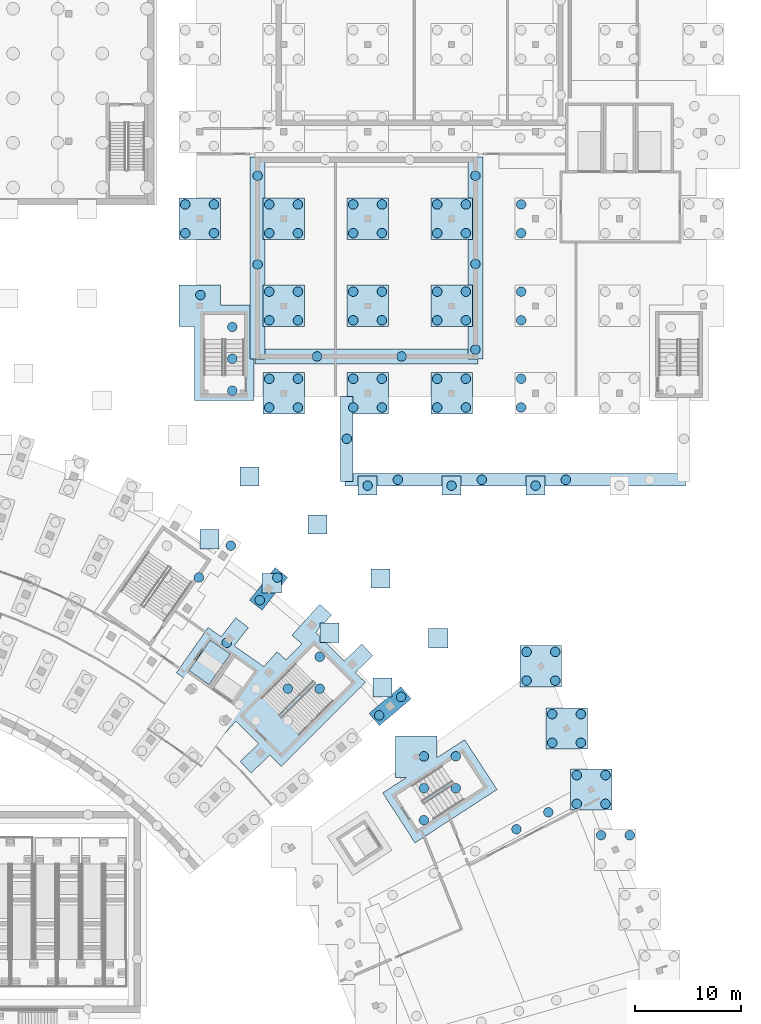
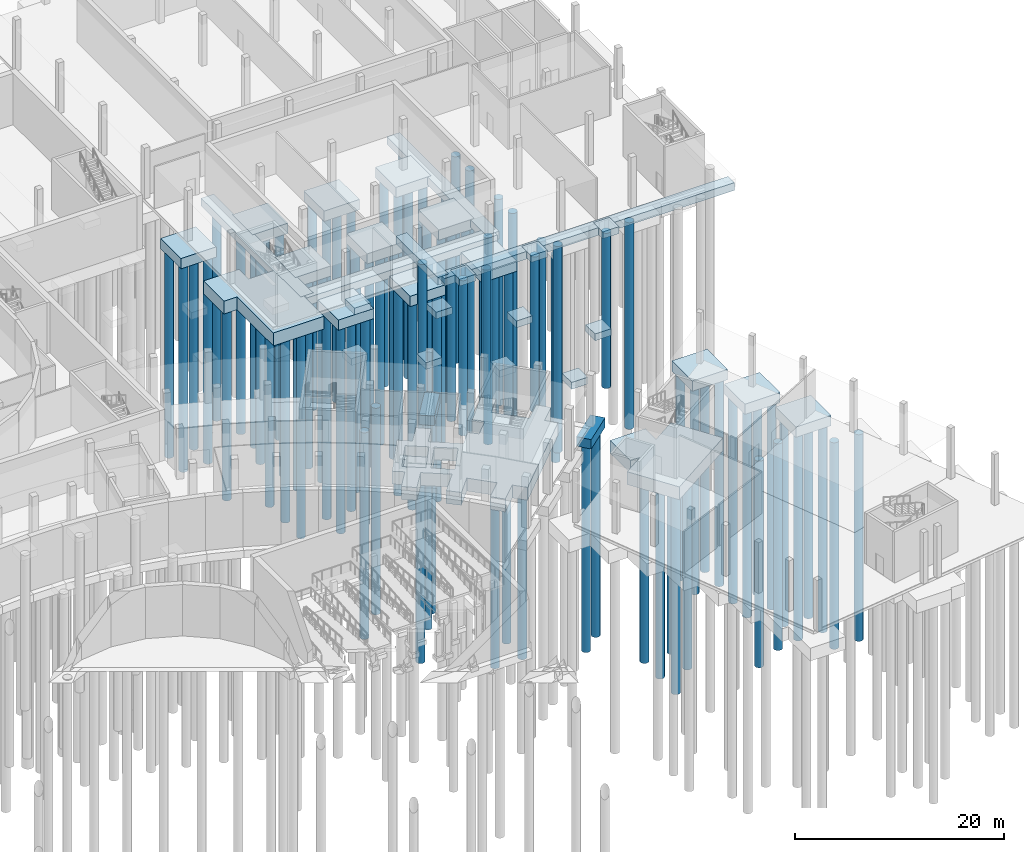
# One storey, part 8 of 66: 95 piles, 35 footings.
"""IFC4 building model written with IfcOpenShell, lengths in metres."""

from ifc_helpers import new_model, si_unit, direction, frame, origin, origin_2d, place, context, subcontext, project, spatial, polyline, circle, outline, extrude, material, material_profile, profile_set, type_object, element, save


model = new_model("IFC4")

# Units and contexts
model_context = context("Model", 3, precision=1e-05, world=origin(), true_north=direction((0.0, 1.0)))
body_context = subcontext(model_context, "Body", "Model", "MODEL_VIEW")
ifc_project = project(units=[si_unit("LENGTHUNIT", "METRE"), si_unit("AREAUNIT", "SQUARE_METRE"), si_unit("VOLUMEUNIT", "CUBIC_METRE"), si_unit("PLANEANGLEUNIT", "RADIAN"), si_unit("MASSUNIT", "GRAM", prefix="KILO")], contexts=[model_context])

# Site, building, storey
site_placement = place(None, origin())
site = spatial("IfcSite", under=ifc_project, at=site_placement, CompositionType="ELEMENT")
building_placement = place(site_placement, origin())
building = spatial("IfcBuilding", under=site, at=building_placement, Name="Lunette Opera House", CompositionType="ELEMENT")
storey_placement = place(building_placement, frame((0.0, 0.0, -6.0)))
storey = spatial("IfcBuildingStorey", under=building, at=storey_placement, Name="B1", CompositionType="ELEMENT", Elevation=-6.0)

# Piles
ifc_material_1 = material(Name="Concrete C40/50", Category="concrete")
ifc_material_profile = material_profile(ifc_material_1, circle(Radius=0.449951171875, at=origin_2d()), Name="BORED PILE 900")
ifc_profile_set = profile_set([ifc_material_profile], Name="Concrete C40/50")
pile_type = type_object("IfcPileType", Name="BORED PILE 900", PredefinedType="BORED", material=ifc_profile_set)
for number, where, z_axis, x_axis, name in (
    (1, (141.958984375, 58.824951171875, -1.300048828125), (0.0, 0.0, -1.0), (1.0, 0.0, 0.0), "pile-FC-CAP047-A"),
    (2, (143.62109375, 60.952880859375, -1.300048828125), (0.0, 0.0, -1.0), (1.0, 0.0, 0.0), "pile-FC-CAP047-B"),
    (3, (153.18505859375, 47.98388671875, -1.300048828125), (0.0, 0.0, -1.0), (1.0, 0.0, 0.0), "pile-FC-CAP048-A"),
    (4, (155.2529296875, 49.719970703125, -1.300048828125), (0.0, 0.0, -1.0), (1.0, 0.0, 0.0), "pile-FC-CAP048-B"),
    (5, (138.85205078125, 54.81201171875, -1.699951171875), (0.0, 0.0, -1.0), (1.0, 0.0, 0.0), "pile-FC-RAFT01-04"),
    (6, (144.59912109375, 50.4970703125, -1.699951171875), (0.0, 0.0, -1.0), (1.0, 0.0, 0.0), "pile-FC-RAFT01-08"),
    (7, (147.59912109375, 50.4970703125, -1.699951171875), (0.0, 0.0, -1.0), (1.0, 0.0, 0.0), "pile-FC-RAFT01-09"),
    (8, (147.59912109375, 53.4970703125, -1.699951171875), (0.0, 0.0, -1.0), (1.0, 0.0, 0.0), "pile-FC-RAFT01-10"),
    (9, (136.23193359375, 60.958984375, -1.699951171875), (0.0, 0.0, -1.0), (1.0, 0.0, 0.0), "pile-FC-RAFT02-06"),
    (10, (139.23193359375, 63.958984375, -1.699951171875), (0.0, 0.0, -1.0), (1.0, 0.0, 0.0), "pile-FC-RAFT02-07"),
    (11, (134.949951171875, 93.35009765625, -1.39990234375), (0.0, 0.0, -1.0), (1.0, 0.0, 0.0), "pile-WW-CAP001-1"),
    (12, (137.64990234375, 93.35009765625, -1.39990234375), (0.0, 0.0, -1.0), (1.0, 0.0, 0.0), "pile-WW-CAP001-2"),
    (13, (134.949951171875, 96.050048828125, -1.39990234375), (0.0, 0.0, -1.0), (1.0, 0.0, 0.0), "pile-WW-CAP001-3"),
    (14, (137.64990234375, 96.050048828125, -1.39990234375), (0.0, 0.0, -1.0), (1.0, 0.0, 0.0), "pile-WW-CAP001-4"),
    (15, (142.85009765625, 76.949951171875, -1.39990234375), (0.0, 0.0, -1.0), (1.0, 0.0, 0.0), "pile-WW-CAP007-1"),
    (16, (145.550048828125, 76.949951171875, -1.39990234375), (0.0, 0.0, -1.0), (1.0, 0.0, 0.0), "pile-WW-CAP007-2"),
    (17, (142.85009765625, 79.64990234375, -1.39990234375), (0.0, 0.0, -1.0), (1.0, 0.0, 0.0), "pile-WW-CAP007-3"),
    (18, (145.550048828125, 79.64990234375, -1.39990234375), (0.0, 0.0, -1.0), (1.0, 0.0, 0.0), "pile-WW-CAP007-4"),
    (19, (142.85009765625, 85.14990234375, -1.39990234375), (0.0, 0.0, -1.0), (1.0, 0.0, 0.0), "pile-WW-CAP008-1"),
    (20, (145.550048828125, 85.14990234375, -1.39990234375), (0.0, 0.0, -1.0), (1.0, 0.0, 0.0), "pile-WW-CAP008-2"),
    (21, (142.85009765625, 87.85009765625, -1.39990234375), (0.0, 0.0, -1.0), (1.0, 0.0, 0.0), "pile-WW-CAP008-3"),
    (22, (145.550048828125, 87.85009765625, -1.39990234375), (0.0, 0.0, -1.0), (1.0, 0.0, 0.0), "pile-WW-CAP008-4"),
    (23, (142.85009765625, 93.35009765625, -1.39990234375), (0.0, 0.0, -1.0), (1.0, 0.0, 0.0), "pile-WW-CAP009-1"),
    (24, (145.550048828125, 93.35009765625, -1.39990234375), (0.0, 0.0, -1.0), (1.0, 0.0, 0.0), "pile-WW-CAP009-2"),
    (25, (142.85009765625, 96.050048828125, -1.39990234375), (0.0, 0.0, -1.0), (1.0, 0.0, 0.0), "pile-WW-CAP009-3"),
    (26, (145.550048828125, 96.050048828125, -1.39990234375), (0.0, 0.0, -1.0), (1.0, 0.0, 0.0), "pile-WW-CAP009-4"),
    (27, (150.75, 76.949951171875, -1.39990234375), (0.0, 0.0, -1.0), (1.0, 0.0, 0.0), "pile-WW-CAP015-1"),
    (28, (153.449951171875, 76.949951171875, -1.39990234375), (0.0, 0.0, -1.0), (1.0, 0.0, 0.0), "pile-WW-CAP015-2"),
    (29, (150.75, 79.64990234375, -1.39990234375), (0.0, 0.0, -1.0), (1.0, 0.0, 0.0), "pile-WW-CAP015-3"),
    (30, (153.449951171875, 79.64990234375, -1.39990234375), (0.0, 0.0, -1.0), (1.0, 0.0, 0.0), "pile-WW-CAP015-4"),
    (31, (150.75, 85.14990234375, -1.39990234375), (0.0, 0.0, -1.0), (1.0, 0.0, 0.0), "pile-WW-CAP016-1"),
    (32, (153.449951171875, 85.14990234375, -1.39990234375), (0.0, 0.0, -1.0), (1.0, 0.0, 0.0), "pile-WW-CAP016-2"),
    (33, (150.75, 87.85009765625, -1.39990234375), (0.0, 0.0, -1.0), (1.0, 0.0, 0.0), "pile-WW-CAP016-3"),
    (34, (153.449951171875, 87.85009765625, -1.39990234375), (0.0, 0.0, -1.0), (1.0, 0.0, 0.0), "pile-WW-CAP016-4"),
    (35, (150.75, 93.35009765625, -1.39990234375), (0.0, 0.0, -1.0), (1.0, 0.0, 0.0), "pile-WW-CAP017-1"),
    (36, (153.449951171875, 93.35009765625, -1.39990234375), (0.0, 0.0, -1.0), (1.0, 0.0, 0.0), "pile-WW-CAP017-2"),
    (37, (150.75, 96.050048828125, -1.39990234375), (0.0, 0.0, -1.0), (1.0, 0.0, 0.0), "pile-WW-CAP017-3"),
    (38, (153.449951171875, 96.050048828125, -1.39990234375), (0.0, 0.0, -1.0), (1.0, 0.0, 0.0), "pile-WW-CAP017-4"),
    (39, (158.64990234375, 76.949951171875, -1.39990234375), (0.0, 0.0, -1.0), (1.0, 0.0, 0.0), "pile-WW-CAP023-1"),
    (40, (161.35009765625, 76.949951171875, -1.39990234375), (0.0, 0.0, -1.0), (1.0, 0.0, 0.0), "pile-WW-CAP023-2"),
    (41, (158.64990234375, 79.64990234375, -1.39990234375), (0.0, 0.0, -1.0), (1.0, 0.0, 0.0), "pile-WW-CAP023-3"),
    (42, (161.35009765625, 79.64990234375, -1.39990234375), (0.0, 0.0, -1.0), (1.0, 0.0, 0.0), "pile-WW-CAP023-4"),
    (43, (158.64990234375, 85.14990234375, -1.39990234375), (0.0, 0.0, -1.0), (1.0, 0.0, 0.0), "pile-WW-CAP024-1"),
    (44, (161.35009765625, 85.14990234375, -1.39990234375), (0.0, 0.0, -1.0), (1.0, 0.0, 0.0), "pile-WW-CAP024-2"),
    (45, (158.64990234375, 87.85009765625, -1.39990234375), (0.0, 0.0, -1.0), (1.0, 0.0, 0.0), "pile-WW-CAP024-3"),
    (46, (161.35009765625, 87.85009765625, -1.39990234375), (0.0, 0.0, -1.0), (1.0, 0.0, 0.0), "pile-WW-CAP024-4"),
    (47, (158.64990234375, 93.35009765625, -1.39990234375), (0.0, 0.0, -1.0), (1.0, 0.0, 0.0), "pile-WW-CAP025-1"),
    (48, (161.35009765625, 93.35009765625, -1.39990234375), (0.0, 0.0, -1.0), (1.0, 0.0, 0.0), "pile-WW-CAP025-2"),
    (49, (158.64990234375, 96.050048828125, -1.39990234375), (0.0, 0.0, -1.0), (1.0, 0.0, 0.0), "pile-WW-CAP025-3"),
    (50, (161.35009765625, 96.050048828125, -1.39990234375), (0.0, 0.0, -1.0), (1.0, 0.0, 0.0), "pile-WW-CAP025-4"),
    (51, (166.550048828125, 76.949951171875, -1.39990234375), (0.0, 0.0, -1.0), (1.0, 0.0, 0.0), "pile-WW-CAP031-1"),
    (52, (166.550048828125, 79.64990234375, -1.39990234375), (0.0, 0.0, -1.0), (1.0, 0.0, 0.0), "pile-WW-CAP031-3"),
    (53, (166.550048828125, 85.14990234375, -1.39990234375), (0.0, 0.0, -1.0), (1.0, 0.0, 0.0), "pile-WW-CAP032-1"),
    (54, (166.550048828125, 87.85009765625, -1.39990234375), (0.0, 0.0, -1.0), (1.0, 0.0, 0.0), "pile-WW-CAP032-3"),
    (55, (166.550048828125, 93.35009765625, -1.39990234375), (0.0, 0.0, -1.0), (1.0, 0.0, 0.0), "pile-WW-CAP033-1"),
    (56, (166.550048828125, 96.050048828125, -1.39990234375), (0.0, 0.0, -1.0), (1.0, 0.0, 0.0), "pile-WW-CAP033-3"),
    (57, (136.375, 87.52490234375, -1.699951171875), (0.0, 0.0, -1.0), (1.0, 0.0, 0.0), "pile-WW-RAFT04-01"),
    (58, (139.375, 78.52490234375, -1.699951171875), (0.0, 0.0, -1.0), (1.0, 0.0, 0.0), "pile-WW-RAFT04-02"),
    (59, (139.375, 81.52490234375, -1.699951171875), (0.0, 0.0, -1.0), (1.0, 0.0, 0.0), "pile-WW-RAFT04-03"),
    (60, (139.375, 84.52490234375, -1.699951171875), (0.0, 0.0, -1.0), (1.0, 0.0, 0.0), "pile-WW-RAFT04-04"),
    (61, (147.35009765625, 81.75, -1.10009765625), (0.0, 0.0, -1.0), (1.0, 0.0, 0.0), "pile-WW-SFCPS-1"),
    (62, (155.300048828125, 81.75, -1.10009765625), (0.0, 0.0, -1.0), (1.0, 0.0, 0.0), "pile-WW-SFCPS-2"),
    (63, (141.75, 90.39990234375, -1.10009765625), (0.0, 0.0, -1.0), (1.0, 0.0, 0.0), "pile-WW-SFCPW-1"),
    (64, (141.75, 98.75, -1.10009765625), (0.0, 0.0, -1.0), (1.0, 0.0, 0.0), "pile-WW-SFCPW-2"),
    (65, (162.25, 82.39990234375, -1.10009765625), (0.0, 0.0, -1.0), (1.0, 0.0, 0.0), "pile-WW-SFCPE-1"),
    (66, (162.25, 90.449951171875, -1.10009765625), (0.0, 0.0, -1.0), (1.0, 0.0, 0.0), "pile-WW-SFCPE-2"),
    (67, (162.25, 98.75, -1.10009765625), (0.0, 0.0, -1.0), (1.0, 0.0, 0.0), "pile-WW-SFCPE-3"),
):
    element("IfcPile", number, at=place(storey_placement, frame(where, z_axis=z_axis, x_axis=x_axis)), inside=storey, type_object=pile_type, Name=name, PredefinedType="BORED", context=body_context, shape_type="SweptSolid", body=[
        extrude(circle(Radius=0.449951171875, at=origin_2d()), origin(), (0.0, 0.0, 1.0), 24.10009765625),
    ])
for number, where, z_axis, x_axis, name in (
    (68, (152.10009765625, 69.60009765625, 5.25), (0.0, 0.0, -1.0), (1.0, 0.0, 0.0), "pile-WW-DCP1-1"),
    (69, (160.0, 69.60009765625, 5.25), (0.0, 0.0, -1.0), (1.0, 0.0, 0.0), "pile-WW-DCP2-1"),
    (70, (167.89990234375, 69.60009765625, 5.25), (0.0, 0.0, -1.0), (1.0, 0.0, 0.0), "pile-WW-DCP3-1"),
):
    element("IfcPile", number, at=place(storey_placement, frame(where, z_axis=z_axis, x_axis=x_axis)), inside=storey, type_object=pile_type, Name=name, PredefinedType="BORED", context=body_context, shape_type="SweptSolid", body=[
        extrude(circle(Radius=0.449951171875, at=origin_2d()), origin(), (0.0, 0.0, 1.0), 18.10009765625),
    ])
for number, where, z_axis, x_axis, name in (
    (71, (154.949951171875, 70.14990234375, 5.14990234375), (0.0, 0.0, -1.0), (1.0, 0.0, 0.0), "pile-WW-SFDKS-1"),
    (72, (162.85009765625, 70.14990234375, 5.14990234375), (0.0, 0.0, -1.0), (1.0, 0.0, 0.0), "pile-WW-SFDKS-2"),
    (73, (170.75, 70.14990234375, 5.14990234375), (0.0, 0.0, -1.0), (1.0, 0.0, 0.0), "pile-WW-SFDKS-3"),
    (74, (150.14990234375, 74.0, 5.14990234375), (0.0, 0.0, -1.0), (1.0, 0.0, 0.0), "pile-WW-SFDKW-1"),
    (75, (167.056884765625, 51.257080078125, -1.39990234375), (0.0, 0.0, -1.0), (1.0, 0.0, 0.0), "pile-SB-CAP001-1"),
    (76, (169.757080078125, 51.257080078125, -1.39990234375), (0.0, 0.0, -1.0), (1.0, 0.0, 0.0), "pile-SB-CAP001-2"),
    (77, (167.056884765625, 53.95703125, -1.39990234375), (0.0, 0.0, -1.0), (1.0, 0.0, 0.0), "pile-SB-CAP001-3"),
    (78, (169.757080078125, 53.95703125, -1.39990234375), (0.0, 0.0, -1.0), (1.0, 0.0, 0.0), "pile-SB-CAP001-4"),
    (79, (169.468017578125, 45.402099609375, -1.39990234375), (0.0, 0.0, -1.0), (1.0, 0.0, 0.0), "pile-SB-CAP002-1"),
    (80, (172.16796875, 45.402099609375, -1.39990234375), (0.0, 0.0, -1.0), (1.0, 0.0, 0.0), "pile-SB-CAP002-2"),
    (81, (169.468017578125, 48.10205078125, -1.39990234375), (0.0, 0.0, -1.0), (1.0, 0.0, 0.0), "pile-SB-CAP002-3"),
    (82, (172.16796875, 48.10205078125, -1.39990234375), (0.0, 0.0, -1.0), (1.0, 0.0, 0.0), "pile-SB-CAP002-4"),
    (83, (171.782958984375, 39.662109375, -1.39990234375), (0.0, 0.0, -1.0), (1.0, 0.0, 0.0), "pile-SB-CAP003-1"),
    (84, (174.48291015625, 39.662109375, -1.39990234375), (0.0, 0.0, -1.0), (1.0, 0.0, 0.0), "pile-SB-CAP003-2"),
    (85, (171.782958984375, 42.362060546875, -1.39990234375), (0.0, 0.0, -1.0), (1.0, 0.0, 0.0), "pile-SB-CAP003-3"),
    (86, (174.48291015625, 42.362060546875, -1.39990234375), (0.0, 0.0, -1.0), (1.0, 0.0, 0.0), "pile-SB-CAP003-4"),
    (87, (174.06494140625, 36.7080078125, -1.39990234375), (0.0, 0.0, -1.0), (1.0, 0.0, 0.0), "pile-SB-CAP004-3"),
    (88, (176.764892578125, 36.7080078125, -1.39990234375), (0.0, 0.0, -1.0), (1.0, 0.0, 0.0), "pile-SB-CAP004-4"),
    (89, (157.39990234375, 38.12890625, -1.699951171875), (0.0, 0.0, -1.0), (1.0, 0.0, 0.0), "pile-SB-RAFT02-01"),
    (90, (157.39990234375, 41.12890625, -1.699951171875), (0.0, 0.0, -1.0), (1.0, 0.0, 0.0), "pile-SB-RAFT02-02"),
    (91, (157.39990234375, 44.12890625, -1.699951171875), (0.0, 0.0, -1.0), (1.0, 0.0, 0.0), "pile-SB-RAFT02-03"),
    (92, (160.39990234375, 41.12890625, -1.699951171875), (0.0, 0.0, -1.0), (1.0, 0.0, 0.0), "pile-SB-RAFT02-04"),
    (93, (160.39990234375, 44.12890625, -1.699951171875), (0.0, 0.0, -1.0), (1.0, 0.0, 0.0), "pile-SB-RAFT02-05"),
    (94, (169.10791015625, 38.873046875, -1.10009765625), (0.0, 0.0, -1.0), (1.0, 0.0, 0.0), "pile-SB-SFHW1-1"),
    (95, (166.10595703125, 37.27587890625, -1.10009765625), (0.0, 0.0, -1.0), (1.0, 0.0, 0.0), "pile-SB-SFHW1-2"),
):
    element("IfcPile", number, at=place(storey_placement, frame(where, z_axis=z_axis, x_axis=x_axis)), inside=storey, type_object=pile_type, Name=name, PredefinedType="BORED", context=body_context, shape_type="SweptSolid", body=[
        extrude(circle(Radius=0.449951171875, at=origin_2d()), origin(), (0.0, 0.0, 1.0), 24.10009765625),
    ])

# Footings
ifc_material_2 = material(Name="Concrete C40/50", Category="concrete")
footing_type_1 = type_object("IfcFootingType", Name="CORE RAFT 1500", PredefinedType="PILE_CAP", material=ifc_material_2)
footing_1_placement = place(storey_placement, frame((0.0, 0.0, -1.800048828125)))
element("IfcFooting", 96, at=footing_1_placement, inside=storey, type_object=footing_type_1, Name="ftg-FC-RAFT01", PredefinedType="PILE_CAP", context=body_context, shape_type="SweptSolid", body=[
    extrude(outline(polyline([(138.076904296875, 45.610107421875), (139.715087890625, 47.429931640625), (141.837890625, 45.306884765625), (140.114013671875, 43.64306640625), (141.156005859375, 42.56396484375), (142.89892578125, 44.2470703125), (143.97705078125, 43.16796875), (151.89697265625, 51.087890625), (150.9560546875, 52.028076171875), (152.593994140625, 53.60888671875), (151.552001953125, 54.68798828125), (149.89599609375, 53.089111328125), (147.219970703125, 55.764892578125), (148.716064453125, 57.426025390625), (147.60107421875, 58.429931640625), (144.991943359375, 55.531982421875), (145.903076171875, 54.7109375), (144.416015625, 53.22412109375), (143.5859375, 53.970947265625), (142.3359375, 52.58203125), (139.553955078125, 54.529052734375), (140.887939453125, 56.236083984375), (139.7060546875, 57.158935546875), (138.323974609375, 55.39111328125), (137.096923828125, 56.2509765625), (134.113037109375, 51.991943359375), (135.117919921875, 51.2880859375), (133.610107421875, 49.35791015625), (134.7919921875, 48.43505859375), (136.34912109375, 50.427001953125), (138.8310546875, 48.68896484375), (136.9619140625, 46.614013671875), (138.076904296875, 45.610107421875)]), holes=[polyline([(137.591064453125, 50.593994140625), (139.597900390625, 53.4609375), (141.48291015625, 52.14208984375), (139.47607421875, 49.27490234375), (137.591064453125, 50.593994140625)]), polyline([(135.297119140625, 52.199951171875), (137.304931640625, 55.06689453125), (139.18896484375, 53.748046875), (137.181884765625, 50.881103515625), (135.297119140625, 52.199951171875)])]), origin(), (0.0, 0.0, 1.0), 1.5),
])
footing_2_placement = place(storey_placement, frame((0.0, 0.0, -1.800048828125)))
element("IfcFooting", 97, at=footing_2_placement, inside=storey, type_object=footing_type_1, Name="ftg-WW-RAFT04", PredefinedType="PILE_CAP", context=body_context, shape_type="SweptSolid", body=[
    extrude(outline(polyline([(134.35009765625, 84.550048828125), (135.800048828125, 84.550048828125), (135.800048828125, 77.60009765625), (141.39990234375, 77.60009765625), (141.39990234375, 86.60009765625), (138.25, 86.60009765625), (138.25, 88.449951171875), (134.35009765625, 88.449951171875), (134.35009765625, 84.550048828125)])), origin(), (0.0, 0.0, 1.0), 1.5),
])
footing_3_placement = place(storey_placement, frame((0.0, 0.0, -1.800048828125)))
element("IfcFooting", 98, at=footing_3_placement, inside=storey, type_object=footing_type_1, Name="ftg-SB-RAFT02", PredefinedType="PILE_CAP", context=body_context, shape_type="SweptSolid", body=[
    extrude(outline(polyline([(158.6259765625, 46.033935546875), (154.72607421875, 46.033935546875), (154.72607421875, 42.134033203125), (155.739990234375, 42.134033203125), (153.51708984375, 40.68994140625), (156.568115234375, 35.993896484375), (164.282958984375, 41.0048828125), (161.23291015625, 45.701904296875), (158.6259765625, 44.009033203125), (158.6259765625, 46.033935546875)])), origin(), (0.0, 0.0, 1.0), 1.5),
])
ifc_material_3 = material(Name="Concrete C35/45", Category="concrete")
footing_type_2 = type_object("IfcFootingType", Name="LIFT PIT FLOOR 300", PredefinedType="PAD_FOOTING", material=ifc_material_3)
footing_4_placement = place(storey_placement, frame((0.0, 0.0, -1.800048828125)))
element("IfcFooting", 99, at=footing_4_placement, inside=storey, type_object=footing_type_2, Name="FL1 pit floor", PredefinedType="PAD_FOOTING", context=body_context, shape_type="SweptSolid", body=[
    extrude(outline(polyline([(135.297119140625, 52.199951171875), (137.304931640625, 55.06689453125), (139.18896484375, 53.748046875), (137.181884765625, 50.881103515625), (135.297119140625, 52.199951171875)])), origin(), (0.0, 0.0, 1.0), 0.300048828125),
])
ifc_material_4 = material(Name="Concrete C35/45", Category="concrete")
footing_type_3 = type_object("IfcFootingType", Name="PAD FOOTING 1800X1800", PredefinedType="PAD_FOOTING", material=ifc_material_4)
footing_5_placement = place(storey_placement, frame((0.0, 0.0, 5.14990234375)))
element("IfcFooting", 100, at=footing_5_placement, inside=storey, type_object=footing_type_3, Name="ftg-WW-DCP1", PredefinedType="PAD_FOOTING", context=body_context, shape_type="SweptSolid", body=[
    extrude(outline(polyline([(153.0, 68.699951171875), (153.0, 70.5), (151.199951171875, 70.5), (151.199951171875, 68.699951171875), (153.0, 68.699951171875)])), origin(), (0.0, 0.0, 1.0), 0.800048828125),
])
footing_6_placement = place(storey_placement, frame((0.0, 0.0, 5.14990234375)))
element("IfcFooting", 101, at=footing_6_placement, inside=storey, type_object=footing_type_3, Name="ftg-WW-DCP2", PredefinedType="PAD_FOOTING", context=body_context, shape_type="SweptSolid", body=[
    extrude(outline(polyline([(160.89990234375, 68.699951171875), (160.89990234375, 70.5), (159.10009765625, 70.5), (159.10009765625, 68.699951171875), (160.89990234375, 68.699951171875)])), origin(), (0.0, 0.0, 1.0), 0.800048828125),
])
footing_7_placement = place(storey_placement, frame((0.0, 0.0, 5.14990234375)))
element("IfcFooting", 102, at=footing_7_placement, inside=storey, type_object=footing_type_3, Name="ftg-WW-DCP3", PredefinedType="PAD_FOOTING", context=body_context, shape_type="SweptSolid", body=[
    extrude(outline(polyline([(168.800048828125, 68.699951171875), (168.800048828125, 70.5), (167.0, 70.5), (167.0, 68.699951171875), (168.800048828125, 68.699951171875)])), origin(), (0.0, 0.0, 1.0), 0.800048828125),
])
footing_8_placement = place(storey_placement, frame((0.0, 0.0, 4.14990234375)))
element("IfcFooting", 103, at=footing_8_placement, inside=storey, type_object=footing_type_3, Name="ftg-PP-PAD-PC-EI04", PredefinedType="PAD_FOOTING", context=body_context, shape_type="SweptSolid", body=[
    extrude(outline(polyline([(138.137939453125, 63.652099609375), (138.137939453125, 65.451904296875), (136.337890625, 65.451904296875), (136.337890625, 63.652099609375), (138.137939453125, 63.652099609375)])), origin(), (0.0, 0.0, 1.0), 0.800048828125),
])
footing_9_placement = place(storey_placement, frame((0.0, 0.0, 5.169921875)))
element("IfcFooting", 104, at=footing_9_placement, inside=storey, type_object=footing_type_3, Name="ftg-PP-PAD-PC-EO04", PredefinedType="PAD_FOOTING", context=body_context, shape_type="SweptSolid", body=[
    extrude(outline(polyline([(141.906005859375, 69.551025390625), (141.906005859375, 71.35107421875), (140.10595703125, 71.35107421875), (140.10595703125, 69.551025390625), (141.906005859375, 69.551025390625)])), origin(), (0.0, 0.0, 1.0), 0.800048828125),
])
footing_10_placement = place(storey_placement, frame((0.0, 0.0, 4.14990234375)))
element("IfcFooting", 105, at=footing_10_placement, inside=storey, type_object=footing_type_3, Name="ftg-PP-PAD-PC-EI05", PredefinedType="PAD_FOOTING", context=body_context, shape_type="SweptSolid", body=[
    extrude(outline(polyline([(143.98388671875, 59.52001953125), (143.98388671875, 61.320068359375), (142.18408203125, 61.320068359375), (142.18408203125, 59.52001953125), (143.98388671875, 59.52001953125)])), origin(), (0.0, 0.0, 1.0), 0.800048828125),
])
footing_11_placement = place(storey_placement, frame((0.0, 0.0, 5.169921875)))
element("IfcFooting", 106, at=footing_11_placement, inside=storey, type_object=footing_type_3, Name="ftg-PP-PAD-PC-EO05", PredefinedType="PAD_FOOTING", context=body_context, shape_type="SweptSolid", body=[
    extrude(outline(polyline([(148.287109375, 65.0419921875), (148.287109375, 66.842041015625), (146.487060546875, 66.842041015625), (146.487060546875, 65.0419921875), (148.287109375, 65.0419921875)])), origin(), (0.0, 0.0, 1.0), 0.800048828125),
])
footing_12_placement = place(storey_placement, frame((0.0, 0.0, 4.14990234375)))
element("IfcFooting", 107, at=footing_12_placement, inside=storey, type_object=footing_type_3, Name="ftg-PP-PAD-PC-EI06", PredefinedType="PAD_FOOTING", context=body_context, shape_type="SweptSolid", body=[
    extrude(outline(polyline([(149.419921875, 54.860107421875), (149.419921875, 56.659912109375), (147.6201171875, 56.659912109375), (147.6201171875, 54.860107421875), (149.419921875, 54.860107421875)])), origin(), (0.0, 0.0, 1.0), 0.800048828125),
])
footing_13_placement = place(storey_placement, frame((0.0, 0.0, 5.169921875)))
element("IfcFooting", 108, at=footing_13_placement, inside=storey, type_object=footing_type_3, Name="ftg-PP-PAD-PC-EO06", PredefinedType="PAD_FOOTING", context=body_context, shape_type="SweptSolid", body=[
    extrude(outline(polyline([(154.218994140625, 59.9560546875), (154.218994140625, 61.756103515625), (152.4189453125, 61.756103515625), (152.4189453125, 59.9560546875), (154.218994140625, 59.9560546875)])), origin(), (0.0, 0.0, 1.0), 0.800048828125),
])
footing_14_placement = place(storey_placement, frame((0.0, 0.0, 4.14990234375)))
element("IfcFooting", 109, at=footing_14_placement, inside=storey, type_object=footing_type_3, Name="ftg-PP-PAD-PC-EI07", PredefinedType="PAD_FOOTING", context=body_context, shape_type="SweptSolid", body=[
    extrude(outline(polyline([(154.39599609375, 49.712890625), (154.39599609375, 51.512939453125), (152.595947265625, 51.512939453125), (152.595947265625, 49.712890625), (154.39599609375, 49.712890625)])), origin(), (0.0, 0.0, 1.0), 0.800048828125),
])
footing_15_placement = place(storey_placement, frame((0.0, 0.0, 5.169921875)))
element("IfcFooting", 110, at=footing_15_placement, inside=storey, type_object=footing_type_3, Name="ftg-PP-PAD-PC-EO07", PredefinedType="PAD_FOOTING", context=body_context, shape_type="SweptSolid", body=[
    extrude(outline(polyline([(159.65087890625, 54.339111328125), (159.65087890625, 56.138916015625), (157.85107421875, 56.138916015625), (157.85107421875, 54.339111328125), (159.65087890625, 54.339111328125)])), origin(), (0.0, 0.0, 1.0), 0.800048828125),
])
ifc_material_5 = material(Name="Concrete C40/50", Category="concrete")
footing_type_4 = type_object("IfcFootingType", Name="PILE CAP 3900X1500", PredefinedType="PILE_CAP", material=ifc_material_5)
footing_16_placement = place(storey_placement, frame((0.0, 0.0, -1.39990234375)))
element("IfcFooting", 111, at=footing_16_placement, inside=storey, type_object=footing_type_4, Name="ftg-FC-CAP047", PredefinedType="PILE_CAP", context=body_context, shape_type="SweptSolid", body=[
    extrude(outline(polyline([(140.998046875, 58.81396484375), (142.179931640625, 57.89111328125), (144.58203125, 60.964111328125), (143.39990234375, 61.886962890625), (140.998046875, 58.81396484375)])), origin(), (0.0, 0.0, 1.0), 1.099853515625),
])
footing_17_placement = place(storey_placement, frame((0.0, 0.0, -1.39990234375)))
element("IfcFooting", 112, at=footing_17_placement, inside=storey, type_object=footing_type_4, Name="ftg-FC-CAP048", PredefinedType="PILE_CAP", context=body_context, shape_type="SweptSolid", body=[
    extrude(outline(polyline([(152.242919921875, 48.173095703125), (153.20703125, 47.02392578125), (156.195068359375, 49.531005859375), (155.23095703125, 50.679931640625), (152.242919921875, 48.173095703125)])), origin(), (0.0, 0.0, 1.0), 1.099853515625),
])
ifc_material_6 = material(Name="Concrete C35/45", Category="concrete")
footing_type_5 = type_object("IfcFootingType", Name="PILE CAP 3900X3900", PredefinedType="PILE_CAP", material=ifc_material_6)
footing_18_placement = place(storey_placement, frame((0.0, 0.0, -1.5)))
element("IfcFooting", 113, at=footing_18_placement, inside=storey, type_object=footing_type_5, Name="ftg-WW-CAP001", PredefinedType="PILE_CAP", context=body_context, shape_type="SweptSolid", body=[
    extrude(outline(polyline([(138.25, 92.75), (138.25, 96.64990234375), (134.35009765625, 96.64990234375), (134.35009765625, 92.75), (138.25, 92.75)])), origin(), (0.0, 0.0, 1.0), 1.199951171875),
])
footing_19_placement = place(storey_placement, frame((0.0, 0.0, -1.5)))
element("IfcFooting", 114, at=footing_19_placement, inside=storey, type_object=footing_type_5, Name="ftg-WW-CAP007", PredefinedType="PILE_CAP", context=body_context, shape_type="SweptSolid", body=[
    extrude(outline(polyline([(146.14990234375, 76.35009765625), (146.14990234375, 80.25), (142.25, 80.25), (142.25, 76.35009765625), (146.14990234375, 76.35009765625)])), origin(), (0.0, 0.0, 1.0), 1.199951171875),
])
footing_20_placement = place(storey_placement, frame((0.0, 0.0, -1.5)))
element("IfcFooting", 115, at=footing_20_placement, inside=storey, type_object=footing_type_5, Name="ftg-WW-CAP008", PredefinedType="PILE_CAP", context=body_context, shape_type="SweptSolid", body=[
    extrude(outline(polyline([(146.14990234375, 84.550048828125), (146.14990234375, 88.449951171875), (142.25, 88.449951171875), (142.25, 84.550048828125), (146.14990234375, 84.550048828125)])), origin(), (0.0, 0.0, 1.0), 1.199951171875),
])
footing_21_placement = place(storey_placement, frame((0.0, 0.0, -1.5)))
element("IfcFooting", 116, at=footing_21_placement, inside=storey, type_object=footing_type_5, Name="ftg-WW-CAP009", PredefinedType="PILE_CAP", context=body_context, shape_type="SweptSolid", body=[
    extrude(outline(polyline([(146.14990234375, 92.75), (146.14990234375, 96.64990234375), (142.25, 96.64990234375), (142.25, 92.75), (146.14990234375, 92.75)])), origin(), (0.0, 0.0, 1.0), 1.199951171875),
])
footing_22_placement = place(storey_placement, frame((0.0, 0.0, -1.5)))
element("IfcFooting", 117, at=footing_22_placement, inside=storey, type_object=footing_type_5, Name="ftg-WW-CAP015", PredefinedType="PILE_CAP", context=body_context, shape_type="SweptSolid", body=[
    extrude(outline(polyline([(154.050048828125, 76.35009765625), (154.050048828125, 80.25), (150.14990234375, 80.25), (150.14990234375, 76.35009765625), (154.050048828125, 76.35009765625)])), origin(), (0.0, 0.0, 1.0), 1.199951171875),
])
footing_23_placement = place(storey_placement, frame((0.0, 0.0, -1.5)))
element("IfcFooting", 118, at=footing_23_placement, inside=storey, type_object=footing_type_5, Name="ftg-WW-CAP016", PredefinedType="PILE_CAP", context=body_context, shape_type="SweptSolid", body=[
    extrude(outline(polyline([(154.050048828125, 84.550048828125), (154.050048828125, 88.449951171875), (150.14990234375, 88.449951171875), (150.14990234375, 84.550048828125), (154.050048828125, 84.550048828125)])), origin(), (0.0, 0.0, 1.0), 1.199951171875),
])
footing_24_placement = place(storey_placement, frame((0.0, 0.0, -1.5)))
element("IfcFooting", 119, at=footing_24_placement, inside=storey, type_object=footing_type_5, Name="ftg-WW-CAP017", PredefinedType="PILE_CAP", context=body_context, shape_type="SweptSolid", body=[
    extrude(outline(polyline([(154.050048828125, 92.75), (154.050048828125, 96.64990234375), (150.14990234375, 96.64990234375), (150.14990234375, 92.75), (154.050048828125, 92.75)])), origin(), (0.0, 0.0, 1.0), 1.199951171875),
])
footing_25_placement = place(storey_placement, frame((0.0, 0.0, -1.5)))
element("IfcFooting", 120, at=footing_25_placement, inside=storey, type_object=footing_type_5, Name="ftg-WW-CAP023", PredefinedType="PILE_CAP", context=body_context, shape_type="SweptSolid", body=[
    extrude(outline(polyline([(161.949951171875, 76.35009765625), (161.949951171875, 80.25), (158.050048828125, 80.25), (158.050048828125, 76.35009765625), (161.949951171875, 76.35009765625)])), origin(), (0.0, 0.0, 1.0), 1.199951171875),
])
footing_26_placement = place(storey_placement, frame((0.0, 0.0, -1.5)))
element("IfcFooting", 121, at=footing_26_placement, inside=storey, type_object=footing_type_5, Name="ftg-WW-CAP024", PredefinedType="PILE_CAP", context=body_context, shape_type="SweptSolid", body=[
    extrude(outline(polyline([(161.949951171875, 84.550048828125), (161.949951171875, 88.449951171875), (158.050048828125, 88.449951171875), (158.050048828125, 84.550048828125), (161.949951171875, 84.550048828125)])), origin(), (0.0, 0.0, 1.0), 1.199951171875),
])
footing_27_placement = place(storey_placement, frame((0.0, 0.0, -1.5)))
element("IfcFooting", 122, at=footing_27_placement, inside=storey, type_object=footing_type_5, Name="ftg-WW-CAP025", PredefinedType="PILE_CAP", context=body_context, shape_type="SweptSolid", body=[
    extrude(outline(polyline([(161.949951171875, 92.75), (161.949951171875, 96.64990234375), (158.050048828125, 96.64990234375), (158.050048828125, 92.75), (161.949951171875, 92.75)])), origin(), (0.0, 0.0, 1.0), 1.199951171875),
])
footing_28_placement = place(storey_placement, frame((0.0, 0.0, -1.5)))
element("IfcFooting", 123, at=footing_28_placement, inside=storey, type_object=footing_type_5, Name="ftg-SB-CAP001", PredefinedType="PILE_CAP", context=body_context, shape_type="SweptSolid", body=[
    extrude(outline(polyline([(170.35693359375, 50.656982421875), (170.35693359375, 54.556884765625), (166.45703125, 54.556884765625), (166.45703125, 50.656982421875), (170.35693359375, 50.656982421875)])), origin(), (0.0, 0.0, 1.0), 1.199951171875),
])
footing_29_placement = place(storey_placement, frame((0.0, 0.0, -1.5)))
element("IfcFooting", 124, at=footing_29_placement, inside=storey, type_object=footing_type_5, Name="ftg-SB-CAP002", PredefinedType="PILE_CAP", context=body_context, shape_type="SweptSolid", body=[
    extrude(outline(polyline([(172.76806640625, 44.802001953125), (172.76806640625, 48.701904296875), (168.867919921875, 48.701904296875), (168.867919921875, 44.802001953125), (172.76806640625, 44.802001953125)])), origin(), (0.0, 0.0, 1.0), 1.199951171875),
])
footing_30_placement = place(storey_placement, frame((0.0, 0.0, -1.5)))
element("IfcFooting", 125, at=footing_30_placement, inside=storey, type_object=footing_type_5, Name="ftg-SB-CAP003", PredefinedType="PILE_CAP", context=body_context, shape_type="SweptSolid", body=[
    extrude(outline(polyline([(175.0830078125, 39.06201171875), (175.0830078125, 42.9619140625), (171.18310546875, 42.9619140625), (171.18310546875, 39.06201171875), (175.0830078125, 39.06201171875)])), origin(), (0.0, 0.0, 1.0), 1.199951171875),
])
ifc_material_7 = material(Name="Concrete C35/45", Category="concrete")
footing_type_6 = type_object("IfcFootingType", Name="STRIP FOOTING 1800X900", PredefinedType="STRIP_FOOTING", material=ifc_material_7)
footing_31_placement = place(storey_placement, frame((0.0, 0.0, -1.199951171875)))
element("IfcFooting", 126, at=footing_31_placement, inside=storey, type_object=footing_type_6, Name="ftg-WW-SFCPS", PredefinedType="STRIP_FOOTING", context=body_context, shape_type="SweptSolid", body=[
    extrude(outline(polyline([(141.5, 82.449951171875), (141.5, 81.050048828125), (162.5, 81.050048828125), (162.5, 82.449951171875), (141.5, 82.449951171875)])), origin(), (0.0, 0.0, 1.0), 0.89990234375),
])
footing_32_placement = place(storey_placement, frame((0.0, 0.0, -1.199951171875)))
element("IfcFooting", 127, at=footing_32_placement, inside=storey, type_object=footing_type_6, Name="ftg-WW-SFCPW", PredefinedType="STRIP_FOOTING", context=body_context, shape_type="SweptSolid", body=[
    extrude(outline(polyline([(141.050048828125, 81.5), (142.449951171875, 81.5), (142.449951171875, 100.5), (141.050048828125, 100.5), (141.050048828125, 81.5)])), origin(), (0.0, 0.0, 1.0), 0.89990234375),
])
footing_33_placement = place(storey_placement, frame((0.0, 0.0, -1.199951171875)))
element("IfcFooting", 128, at=footing_33_placement, inside=storey, type_object=footing_type_6, Name="ftg-WW-SFCPE", PredefinedType="STRIP_FOOTING", context=body_context, shape_type="SweptSolid", body=[
    extrude(outline(polyline([(161.550048828125, 81.5), (162.949951171875, 81.5), (162.949951171875, 100.5), (161.550048828125, 100.5), (161.550048828125, 81.5)])), origin(), (0.0, 0.0, 1.0), 0.89990234375),
])
footing_34_placement = place(storey_placement, frame((0.0, 0.0, 5.050048828125)))
element("IfcFooting", 129, at=footing_34_placement, inside=storey, type_object=footing_type_6, Name="ftg-WW-SFDKS", PredefinedType="STRIP_FOOTING", context=body_context, shape_type="SweptSolid", body=[
    extrude(outline(polyline([(150.0, 70.75), (150.0, 69.550048828125), (182.0, 69.550048828125), (182.0, 70.75), (150.0, 70.75)])), origin(), (0.0, 0.0, 1.0), 0.89990234375),
])
footing_35_placement = place(storey_placement, frame((0.0, 0.0, 5.050048828125)))
element("IfcFooting", 130, at=footing_35_placement, inside=storey, type_object=footing_type_6, Name="ftg-WW-SFDKW", PredefinedType="STRIP_FOOTING", context=body_context, shape_type="SweptSolid", body=[
    extrude(outline(polyline([(149.550048828125, 70.0), (150.75, 70.0), (150.75, 78.0), (149.550048828125, 78.0), (149.550048828125, 70.0)])), origin(), (0.0, 0.0, 1.0), 0.89990234375),
])

save(model, "model.ifc")
